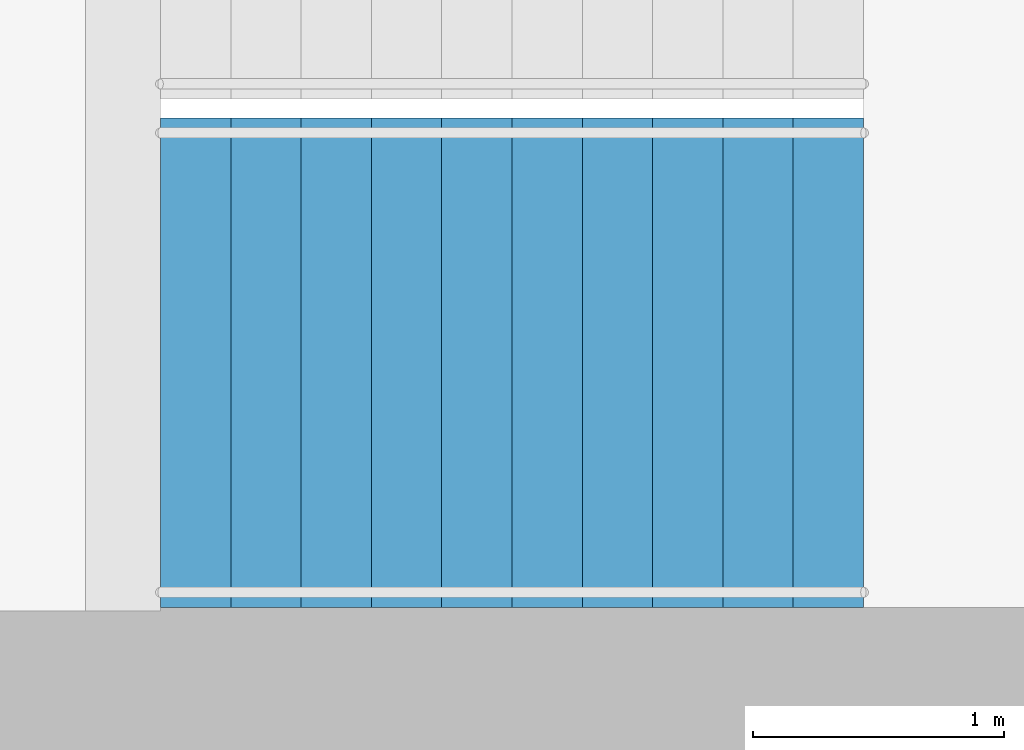
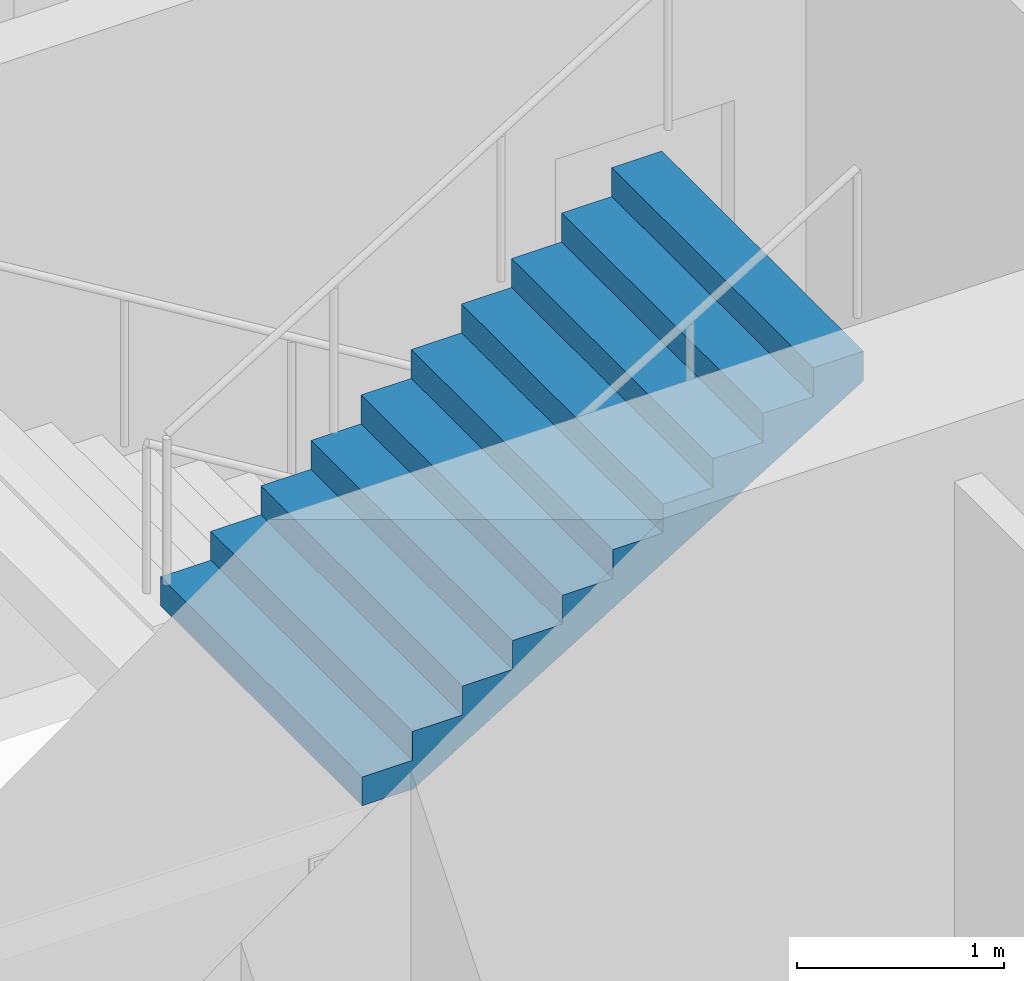
# One storey, part 18 of 20: 1 stair flight, 1 element without a shape of its own.
"""IFC4 building model written with IfcOpenShell, lengths in metres."""

from ifc_helpers import new_model, si_unit, direction, frame, origin, place, context, subcontext, project, spatial, triangles, material, type_object, element, aggregate, save


model = new_model("IFC4")

# Units and contexts
model_context = context("Model", 3, precision=1e-05, world=origin(), true_north=direction((0.0, 1.0)))
body_context = subcontext(model_context, "Body", "Model", "MODEL_VIEW")
ifc_project = project(units=[si_unit("LENGTHUNIT", "METRE"), si_unit("AREAUNIT", "SQUARE_METRE"), si_unit("VOLUMEUNIT", "CUBIC_METRE"), si_unit("PLANEANGLEUNIT", "RADIAN"), si_unit("MASSUNIT", "GRAM", prefix="KILO")], contexts=[model_context])

# Site, building, storey
site_placement = place(None, origin())
site = spatial("IfcSite", under=ifc_project, at=site_placement, CompositionType="ELEMENT")
building_placement = place(site_placement, origin())
building = spatial("IfcBuilding", under=site, at=building_placement, Name="Orbita Commons", CompositionType="ELEMENT")
storey_placement = place(building_placement, frame((0.0, 0.0, 129.39990234375)))
storey = spatial("IfcBuildingStorey", under=building, at=storey_placement, Name="L32", CompositionType="ELEMENT", Elevation=129.39990234375)

# Stair, stair flight
ifc_material_1 = material(Name="Precast concrete C40/50", Category="concrete")
stair_type = type_object("IfcStairType", Name="Exit stair S2 2 flights 11 risers 170", PredefinedType="HALF_TURN_STAIR", material=ifc_material_1)
stair_placement = place(storey_placement, origin())
stair = element("IfcStair", 1, at=stair_placement, inside=storey, type_object=stair_type, Name="Exit stair S2 L32", PredefinedType="HALF_TURN_STAIR")
ifc_material_2 = material(Name="Precast concrete C40/50", Category="concrete")
stair_flight_type = type_object("IfcStairFlightType", Name="Stair flight 11 risers 170 x 280", PredefinedType="STRAIGHT", material=ifc_material_2)
stair_flight_placement = place(storey_placement, frame((60.75, 27.25, 1.875), z_axis=(0.0, 0.0, 1.0), x_axis=(1.0, 0.0, 0.0)))
stair_flight = element("IfcStairFlight", 2, at=stair_flight_placement, type_object=stair_flight_type, Name="S2 flight 2", NumberOfRisers=11, NumberOfTreads=10, PredefinedType="STRAIGHT", RiserHeight=0.170454545, TreadLength=0.28, context=body_context, shape_type="Tessellation", body=[
    triangles([(0.0, 0.974976, 0.0), (0.0, 0.974976, 0.021307), (0.0, 0.81248, 0.021307), (0.0, 0.81248, 0.0), (0.0, 0.649984, 0.021307), (0.0, 0.649984, 0.0), (0.0, 0.487488, 0.021307), (0.0, 0.487488, 0.0), (0.0, 0.324992, 0.021307), (0.0, 0.324992, 0.0), (0.0, 0.162496, 0.021307), (0.0, 0.162496, 0.0), (0.0, 0.0, 0.021307), (0.0, 0.0, 0.0), (0.0, -0.162496, 0.021307), (0.0, -0.162496, 0.0), (0.0, -0.324992, 0.021307), (0.0, -0.324992, 0.0), (0.0, -0.487488, 0.021307), (0.0, -0.487488, 0.0), (0.0, -0.649984, 0.021307), (0.0, -0.649984, 0.0), (0.0, -0.81248, 0.021307), (0.0, -0.81248, 0.0), (0.0, -0.974976, 0.021307), (0.0, -0.974976, 0.0), (0.0, 0.974976, 0.042614), (0.0, 0.81248, 0.042614), (0.0, 0.649984, 0.042614), (0.0, 0.487488, 0.042614), (0.0, 0.324992, 0.042614), (0.0, 0.162496, 0.042614), (0.0, 0.0, 0.042614), (0.0, -0.162496, 0.042614), (0.0, -0.324992, 0.042614), (0.0, -0.487488, 0.042614), (0.0, -0.649984, 0.042614), (0.0, -0.81248, 0.042614), (0.0, -0.974976, 0.042614), (0.0, 0.974976, 0.06392), (0.0, 0.81248, 0.06392), (0.0, 0.649984, 0.06392), (0.0, 0.487488, 0.06392), (0.0, 0.324992, 0.06392), (0.0, 0.162496, 0.06392), (0.0, 0.0, 0.06392), (0.0, -0.162496, 0.06392), (0.0, -0.324992, 0.06392), (0.0, -0.487488, 0.06392), (0.0, -0.649984, 0.06392), (0.0, -0.81248, 0.06392), (0.0, -0.974976, 0.06392), (0.0, 0.974976, 0.085227), (0.0, 0.81248, 0.085227), (0.0, 0.649984, 0.085227), (0.0, 0.487488, 0.085227), (0.0, 0.324992, 0.085227), (0.0, 0.162496, 0.085227), (0.0, 0.0, 0.085227), (0.0, -0.162496, 0.085227), (0.0, -0.324992, 0.085227), (0.0, -0.487488, 0.085227), (0.0, -0.649984, 0.085227), (0.0, -0.81248, 0.085227), (0.0, -0.974976, 0.085227), (0.0, 0.974976, 0.106534), (0.0, 0.81248, 0.106534), (0.0, 0.649984, 0.106534), (0.0, 0.487488, 0.106534), (0.0, 0.324992, 0.106534), (0.0, 0.162496, 0.106534), (0.0, 0.0, 0.106534), (0.0, -0.162496, 0.106534), (0.0, -0.324992, 0.106534), (0.0, -0.487488, 0.106534), (0.0, -0.649984, 0.106534), (0.0, -0.81248, 0.106534), (0.0, -0.974976, 0.106534), (0.0, 0.974976, 0.127841), (0.0, 0.81248, 0.127841), (0.0, 0.649984, 0.127841), (0.0, 0.487488, 0.127841), (0.0, 0.324992, 0.127841), (0.0, 0.162496, 0.127841), (0.0, 0.0, 0.127841), (0.0, -0.162496, 0.127841), (0.0, -0.324992, 0.127841), (0.0, -0.487488, 0.127841), (0.0, -0.649984, 0.127841), (0.0, -0.81248, 0.127841), (0.0, -0.974976, 0.127841), (0.0, 0.974976, 0.149148), (0.0, 0.81248, 0.149148), (0.0, 0.649984, 0.149148), (0.0, 0.487488, 0.149148), (0.0, 0.324992, 0.149148), (0.0, 0.162496, 0.149148), (0.0, 0.0, 0.149148), (0.0, -0.162496, 0.149148), (0.0, -0.324992, 0.149148), (0.0, -0.487488, 0.149148), (0.0, -0.649984, 0.149148), (0.0, -0.81248, 0.149148), (0.0, -0.974976, 0.149148), (0.0, 0.974976, 0.170455), (0.0, 0.81248, 0.170455), (0.0, 0.649984, 0.170455), (0.0, 0.487488, 0.170455), (0.0, 0.324992, 0.170455), (0.0, 0.162496, 0.170455), (0.0, 0.0, 0.170455), (0.0, -0.162496, 0.170455), (0.0, -0.324992, 0.170455), (0.0, -0.487488, 0.170455), (0.0, -0.649984, 0.170455), (0.0, -0.81248, 0.170455), (0.0, -0.974976, 0.170455), (0.28, 0.974976, 0.170455), (0.28, 0.81248, 0.170455), (0.28, 0.649984, 0.170455), (0.28, 0.487488, 0.170455), (0.28, 0.324992, 0.170455), (0.28, 0.162496, 0.170455), (0.28, 0.0, 0.170455), (0.28, -0.162496, 0.170455), (0.28, -0.324992, 0.170455), (0.28, -0.487488, 0.170455), (0.28, -0.649984, 0.170455), (0.28, -0.81248, 0.170455), (0.28, -0.974976, 0.170455), (0.28, 0.974976, 0.340909), (0.28, 0.81248, 0.340909), (0.28, 0.649984, 0.340909), (0.28, 0.487488, 0.340909), (0.28, 0.324992, 0.340909), (0.28, 0.162496, 0.340909), (0.28, 0.0, 0.340909), (0.28, -0.162496, 0.340909), (0.28, -0.324992, 0.340909), (0.28, -0.487488, 0.340909), (0.28, -0.649984, 0.340909), (0.28, -0.81248, 0.340909), (0.28, -0.974976, 0.340909), (0.56, 0.974976, 0.340909), (0.56, 0.81248, 0.340909), (0.56, 0.649984, 0.340909), (0.56, 0.487488, 0.340909), (0.56, 0.324992, 0.340909), (0.56, 0.162496, 0.340909), (0.56, 0.0, 0.340909), (0.56, -0.162496, 0.340909), (0.56, -0.324992, 0.340909), (0.56, -0.487488, 0.340909), (0.56, -0.649984, 0.340909), (0.56, -0.81248, 0.340909), (0.56, -0.974976, 0.340909), (0.56, 0.974976, 0.511364), (0.56, 0.81248, 0.511364), (0.56, 0.649984, 0.511364), (0.56, 0.487488, 0.511364), (0.56, 0.324992, 0.511364), (0.56, 0.162496, 0.511364), (0.56, 0.0, 0.511364), (0.56, -0.162496, 0.511364), (0.56, -0.324992, 0.511364), (0.56, -0.487488, 0.511364), (0.56, -0.649984, 0.511364), (0.56, -0.81248, 0.511364), (0.56, -0.974976, 0.511364), (0.84, 0.974976, 0.511364), (0.84, 0.81248, 0.511364), (0.84, 0.649984, 0.511364), (0.84, 0.487488, 0.511364), (0.84, 0.324992, 0.511364), (0.84, 0.162496, 0.511364), (0.84, 0.0, 0.511364), (0.84, -0.162496, 0.511364), (0.84, -0.324992, 0.511364), (0.84, -0.487488, 0.511364), (0.84, -0.649984, 0.511364), (0.84, -0.81248, 0.511364), (0.84, -0.974976, 0.511364), (0.84, 0.974976, 0.681818), (0.84, 0.81248, 0.681818), (0.84, 0.649984, 0.681818), (0.84, 0.487488, 0.681818), (0.84, 0.324992, 0.681818), (0.84, 0.162496, 0.681818), (0.84, 0.0, 0.681818), (0.84, -0.162496, 0.681818), (0.84, -0.324992, 0.681818), (0.84, -0.487488, 0.681818), (0.84, -0.649984, 0.681818), (0.84, -0.81248, 0.681818), (0.84, -0.974976, 0.681818), (1.12, 0.974976, 0.681818), (1.12, 0.81248, 0.681818), (1.12, 0.649984, 0.681818), (1.12, 0.487488, 0.681818), (1.12, 0.324992, 0.681818), (1.12, 0.162496, 0.681818), (1.12, 0.0, 0.681818), (1.12, -0.162496, 0.681818), (1.12, -0.324992, 0.681818), (1.12, -0.487488, 0.681818), (1.12, -0.649984, 0.681818), (1.12, -0.81248, 0.681818), (1.12, -0.974976, 0.681818), (1.12, 0.974976, 0.852273), (1.12, 0.81248, 0.852273), (1.12, 0.649984, 0.852273), (1.12, 0.487488, 0.852273), (1.12, 0.324992, 0.852273), (1.12, 0.162496, 0.852273), (1.12, 0.0, 0.852273), (1.12, -0.162496, 0.852273), (1.12, -0.324992, 0.852273), (1.12, -0.487488, 0.852273), (1.12, -0.649984, 0.852273), (1.12, -0.81248, 0.852273), (1.12, -0.974976, 0.852273), (1.4, 0.974976, 0.852273), (1.4, 0.81248, 0.852273), (1.4, 0.649984, 0.852273), (1.4, 0.487488, 0.852273), (1.4, 0.324992, 0.852273), (1.4, 0.162496, 0.852273), (1.4, 0.0, 0.852273), (1.4, -0.162496, 0.852273), (1.4, -0.324992, 0.852273), (1.4, -0.487488, 0.852273), (1.4, -0.649984, 0.852273), (1.4, -0.81248, 0.852273), (1.4, -0.974976, 0.852273), (1.4, 0.974976, 1.022727), (1.4, 0.81248, 1.022727), (1.4, 0.649984, 1.022727), (1.4, 0.487488, 1.022727), (1.4, 0.324992, 1.022727), (1.4, 0.162496, 1.022727), (1.4, 0.0, 1.022727), (1.4, -0.162496, 1.022727), (1.4, -0.324992, 1.022727), (1.4, -0.487488, 1.022727), (1.4, -0.649984, 1.022727), (1.4, -0.81248, 1.022727), (1.4, -0.974976, 1.022727), (1.68, 0.974976, 1.022727), (1.68, 0.81248, 1.022727), (1.68, 0.649984, 1.022727), (1.68, 0.487488, 1.022727), (1.68, 0.324992, 1.022727), (1.68, 0.162496, 1.022727), (1.68, 0.0, 1.022727), (1.68, -0.162496, 1.022727), (1.68, -0.324992, 1.022727), (1.68, -0.487488, 1.022727), (1.68, -0.649984, 1.022727), (1.68, -0.81248, 1.022727), (1.68, -0.974976, 1.022727), (1.68, 0.974976, 1.193182), (1.68, 0.81248, 1.193182), (1.68, 0.649984, 1.193182), (1.68, 0.487488, 1.193182), (1.68, 0.324992, 1.193182), (1.68, 0.162496, 1.193182), (1.68, 0.0, 1.193182), (1.68, -0.162496, 1.193182), (1.68, -0.324992, 1.193182), (1.68, -0.487488, 1.193182), (1.68, -0.649984, 1.193182), (1.68, -0.81248, 1.193182), (1.68, -0.974976, 1.193182), (1.96, 0.974976, 1.193182), (1.96, 0.81248, 1.193182), (1.96, 0.649984, 1.193182), (1.96, 0.487488, 1.193182), (1.96, 0.324992, 1.193182), (1.96, 0.162496, 1.193182), (1.96, 0.0, 1.193182), (1.96, -0.162496, 1.193182), (1.96, -0.324992, 1.193182), (1.96, -0.487488, 1.193182), (1.96, -0.649984, 1.193182), (1.96, -0.81248, 1.193182), (1.96, -0.974976, 1.193182), (1.96, 0.974976, 1.363636), (1.96, 0.81248, 1.363636), (1.96, 0.649984, 1.363636), (1.96, 0.487488, 1.363636), (1.96, 0.324992, 1.363636), (1.96, 0.162496, 1.363636), (1.96, 0.0, 1.363636), (1.96, -0.162496, 1.363636), (1.96, -0.324992, 1.363636), (1.96, -0.487488, 1.363636), (1.96, -0.649984, 1.363636), (1.96, -0.81248, 1.363636), (1.96, -0.974976, 1.363636), (2.24, 0.974976, 1.363636), (2.24, 0.81248, 1.363636), (2.24, 0.649984, 1.363636), (2.24, 0.487488, 1.363636), (2.24, 0.324992, 1.363636), (2.24, 0.162496, 1.363636), (2.24, 0.0, 1.363636), (2.24, -0.162496, 1.363636), (2.24, -0.324992, 1.363636), (2.24, -0.487488, 1.363636), (2.24, -0.649984, 1.363636), (2.24, -0.81248, 1.363636), (2.24, -0.974976, 1.363636), (2.24, 0.974976, 1.534091), (2.24, 0.81248, 1.534091), (2.24, 0.649984, 1.534091), (2.24, 0.487488, 1.534091), (2.24, 0.324992, 1.534091), (2.24, 0.162496, 1.534091), (2.24, 0.0, 1.534091), (2.24, -0.162496, 1.534091), (2.24, -0.324992, 1.534091), (2.24, -0.487488, 1.534091), (2.24, -0.649984, 1.534091), (2.24, -0.81248, 1.534091), (2.24, -0.974976, 1.534091), (2.52, 0.974976, 1.534091), (2.52, 0.81248, 1.534091), (2.52, 0.649984, 1.534091), (2.52, 0.487488, 1.534091), (2.52, 0.324992, 1.534091), (2.52, 0.162496, 1.534091), (2.52, 0.0, 1.534091), (2.52, -0.162496, 1.534091), (2.52, -0.324992, 1.534091), (2.52, -0.487488, 1.534091), (2.52, -0.649984, 1.534091), (2.52, -0.81248, 1.534091), (2.52, -0.974976, 1.534091), (2.52, 0.974976, 1.704545), (2.52, 0.81248, 1.704545), (2.52, 0.649984, 1.704545), (2.52, 0.487488, 1.704545), (2.52, 0.324992, 1.704545), (2.52, 0.162496, 1.704545), (2.52, 0.0, 1.704545), (2.52, -0.162496, 1.704545), (2.52, -0.324992, 1.704545), (2.52, -0.487488, 1.704545), (2.52, -0.649984, 1.704545), (2.52, -0.81248, 1.704545), (2.52, -0.974976, 1.704545), (2.8, 0.974976, 1.704545), (2.8, 0.81248, 1.704545), (2.8, 0.649984, 1.704545), (2.8, 0.487488, 1.704545), (2.8, 0.324992, 1.704545), (2.8, 0.162496, 1.704545), (2.8, 0.0, 1.704545), (2.8, -0.162496, 1.704545), (2.8, -0.324992, 1.704545), (2.8, -0.487488, 1.704545), (2.8, -0.649984, 1.704545), (2.8, -0.81248, 1.704545), (2.8, -0.974976, 1.704545), (2.8, 0.974976, 1.682609), (2.8, 0.81248, 1.682609), (2.8, 0.649984, 1.682609), (2.8, 0.487488, 1.682609), (2.8, 0.324992, 1.682609), (2.8, 0.162496, 1.682609), (2.8, 0.0, 1.682609), (2.8, -0.162496, 1.682609), (2.8, -0.324992, 1.682609), (2.8, -0.487488, 1.682609), (2.8, -0.649984, 1.682609), (2.8, -0.81248, 1.682609), (2.8, -0.974976, 1.682609), (2.8, 0.974976, 1.660672), (2.8, 0.81248, 1.660672), (2.8, 0.649984, 1.660672), (2.8, 0.487488, 1.660672), (2.8, 0.324992, 1.660672), (2.8, 0.162496, 1.660672), (2.8, 0.0, 1.660672), (2.8, -0.162496, 1.660672), (2.8, -0.324992, 1.660672), (2.8, -0.487488, 1.660672), (2.8, -0.649984, 1.660672), (2.8, -0.81248, 1.660672), (2.8, -0.974976, 1.660672), (2.8, 0.974976, 1.638735), (2.8, 0.81248, 1.638735), (2.8, 0.649984, 1.638735), (2.8, 0.487488, 1.638735), (2.8, 0.324992, 1.638735), (2.8, 0.162496, 1.638735), (2.8, 0.0, 1.638735), (2.8, -0.162496, 1.638735), (2.8, -0.324992, 1.638735), (2.8, -0.487488, 1.638735), (2.8, -0.649984, 1.638735), (2.8, -0.81248, 1.638735), (2.8, -0.974976, 1.638735), (2.8, 0.974976, 1.616798), (2.8, 0.81248, 1.616798), (2.8, 0.649984, 1.616798), (2.8, 0.487488, 1.616798), (2.8, 0.324992, 1.616798), (2.8, 0.162496, 1.616798), (2.8, 0.0, 1.616798), (2.8, -0.162496, 1.616798), (2.8, -0.324992, 1.616798), (2.8, -0.487488, 1.616798), (2.8, -0.649984, 1.616798), (2.8, -0.81248, 1.616798), (2.8, -0.974976, 1.616798), (2.8, 0.974976, 1.594861), (2.8, 0.81248, 1.594861), (2.8, 0.649984, 1.594861), (2.8, 0.487488, 1.594861), (2.8, 0.324992, 1.594861), (2.8, 0.162496, 1.594861), (2.8, 0.0, 1.594861), (2.8, -0.162496, 1.594861), (2.8, -0.324992, 1.594861), (2.8, -0.487488, 1.594861), (2.8, -0.649984, 1.594861), (2.8, -0.81248, 1.594861), (2.8, -0.974976, 1.594861), (2.8, 0.974976, 1.572925), (2.8, 0.81248, 1.572925), (2.8, 0.649984, 1.572925), (2.8, 0.487488, 1.572925), (2.8, 0.324992, 1.572925), (2.8, 0.162496, 1.572925), (2.8, 0.0, 1.572925), (2.8, -0.162496, 1.572925), (2.8, -0.324992, 1.572925), (2.8, -0.487488, 1.572925), (2.8, -0.649984, 1.572925), (2.8, -0.81248, 1.572925), (2.8, -0.974976, 1.572925), (2.8, 0.974976, 1.550988), (2.8, 0.81248, 1.550988), (2.8, 0.649984, 1.550988), (2.8, 0.487488, 1.550988), (2.8, 0.324992, 1.550988), (2.8, 0.162496, 1.550988), (2.8, 0.0, 1.550988), (2.8, -0.162496, 1.550988), (2.8, -0.324992, 1.550988), (2.8, -0.487488, 1.550988), (2.8, -0.649984, 1.550988), (2.8, -0.81248, 1.550988), (2.8, -0.974976, 1.550988), (2.8, 0.974976, 1.529051), (2.8, 0.81248, 1.529051), (2.8, 0.649984, 1.529051), (2.8, 0.487488, 1.529051), (2.8, 0.324992, 1.529051), (2.8, 0.162496, 1.529051), (2.8, 0.0, 1.529051), (2.8, -0.162496, 1.529051), (2.8, -0.324992, 1.529051), (2.8, -0.487488, 1.529051), (2.8, -0.649984, 1.529051), (2.8, -0.81248, 1.529051), (2.8, -0.974976, 1.529051), (0.288279, 0.974976, 0.0), (0.288279, 0.81248, 0.0), (0.288279, 0.649984, 0.0), (0.288279, 0.487488, 0.0), (0.288279, 0.324992, 0.0), (0.288279, 0.162496, 0.0), (0.288279, 0.0, 0.0), (0.288279, -0.162496, 0.0), (0.288279, -0.324992, 0.0), (0.288279, -0.487488, 0.0), (0.288279, -0.649984, 0.0), (0.288279, -0.81248, 0.0), (0.288279, -0.974976, 0.0)], [[3, 2, 1], [4, 3, 1], [5, 3, 4], [6, 5, 4], [7, 5, 6], [8, 7, 6], [9, 7, 8], [10, 9, 8], [11, 9, 10], [12, 11, 10], [13, 11, 12], [14, 13, 12], [15, 13, 14], [16, 15, 14], [17, 15, 16], [18, 17, 16], [19, 17, 18], [20, 19, 18], [21, 19, 20], [22, 21, 20], [23, 21, 22], [24, 23, 22], [25, 23, 24], [26, 25, 24], [28, 27, 2], [3, 28, 2], [29, 28, 3], [5, 29, 3], [30, 29, 5], [7, 30, 5], [31, 30, 7], [9, 31, 7], [32, 31, 9], [11, 32, 9], [33, 32, 11], [13, 33, 11], [34, 33, 13], [15, 34, 13], [35, 34, 15], [17, 35, 15], [36, 35, 17], [19, 36, 17], [37, 36, 19], [21, 37, 19], [38, 37, 21], [23, 38, 21], [39, 38, 23], [25, 39, 23], [41, 40, 27], [28, 41, 27], [42, 41, 28], [29, 42, 28], [43, 42, 29], [30, 43, 29], [44, 43, 30], [31, 44, 30], [45, 44, 31], [32, 45, 31], [46, 45, 32], [33, 46, 32], [47, 46, 33], [34, 47, 33], [48, 47, 34], [35, 48, 34], [49, 48, 35], [36, 49, 35], [50, 49, 36], [37, 50, 36], [51, 50, 37], [38, 51, 37], [52, 51, 38], [39, 52, 38], [54, 53, 40], [41, 54, 40], [55, 54, 41], [42, 55, 41], [56, 55, 42], [43, 56, 42], [57, 56, 43], [44, 57, 43], [58, 57, 44], [45, 58, 44], [59, 58, 45], [46, 59, 45], [60, 59, 46], [47, 60, 46], [61, 60, 47], [48, 61, 47], [62, 61, 48], [49, 62, 48], [63, 62, 49], [50, 63, 49], [64, 63, 50], [51, 64, 50], [65, 64, 51], [52, 65, 51], [67, 66, 53], [54, 67, 53], [68, 67, 54], [55, 68, 54], [69, 68, 55], [56, 69, 55], [70, 69, 56], [57, 70, 56], [71, 70, 57], [58, 71, 57], [72, 71, 58], [59, 72, 58], [73, 72, 59], [60, 73, 59], [74, 73, 60], [61, 74, 60], [75, 74, 61], [62, 75, 61], [76, 75, 62], [63, 76, 62], [77, 76, 63], [64, 77, 63], [78, 77, 64], [65, 78, 64], [80, 79, 66], [67, 80, 66], [81, 80, 67], [68, 81, 67], [82, 81, 68], [69, 82, 68], [83, 82, 69], [70, 83, 69], [84, 83, 70], [71, 84, 70], [85, 84, 71], [72, 85, 71], [86, 85, 72], [73, 86, 72], [87, 86, 73], [74, 87, 73], [88, 87, 74], [75, 88, 74], [89, 88, 75], [76, 89, 75], [90, 89, 76], [77, 90, 76], [91, 90, 77], [78, 91, 77], [93, 92, 79], [80, 93, 79], [94, 93, 80], [81, 94, 80], [95, 94, 81], [82, 95, 81], [96, 95, 82], [83, 96, 82], [97, 96, 83], [84, 97, 83], [98, 97, 84], [85, 98, 84], [99, 98, 85], [86, 99, 85], [100, 99, 86], [87, 100, 86], [101, 100, 87], [88, 101, 87], [102, 101, 88], [89, 102, 88], [103, 102, 89], [90, 103, 89], [104, 103, 90], [91, 104, 90], [106, 105, 92], [93, 106, 92], [107, 106, 93], [94, 107, 93], [108, 107, 94], [95, 108, 94], [109, 108, 95], [96, 109, 95], [110, 109, 96], [97, 110, 96], [111, 110, 97], [98, 111, 97], [112, 111, 98], [99, 112, 98], [113, 112, 99], [100, 113, 99], [114, 113, 100], [101, 114, 100], [115, 114, 101], [102, 115, 101], [116, 115, 102], [103, 116, 102], [117, 116, 103], [104, 117, 103], [119, 118, 105], [106, 119, 105], [120, 119, 106], [107, 120, 106], [121, 120, 107], [108, 121, 107], [122, 121, 108], [109, 122, 108], [123, 122, 109], [110, 123, 109], [124, 123, 110], [111, 124, 110], [125, 124, 111], [112, 125, 111], [126, 125, 112], [113, 126, 112], [127, 126, 113], [114, 127, 113], [128, 127, 114], [115, 128, 114], [129, 128, 115], [116, 129, 115], [130, 129, 116], [117, 130, 116], [132, 131, 118], [119, 132, 118], [133, 132, 119], [120, 133, 119], [134, 133, 120], [121, 134, 120], [135, 134, 121], [122, 135, 121], [136, 135, 122], [123, 136, 122], [137, 136, 123], [124, 137, 123], [138, 137, 124], [125, 138, 124], [139, 138, 125], [126, 139, 125], [140, 139, 126], [127, 140, 126], [141, 140, 127], [128, 141, 127], [142, 141, 128], [129, 142, 128], [143, 142, 129], [130, 143, 129], [145, 144, 131], [132, 145, 131], [146, 145, 132], [133, 146, 132], [147, 146, 133], [134, 147, 133], [148, 147, 134], [135, 148, 134], [149, 148, 135], [136, 149, 135], [150, 149, 136], [137, 150, 136], [151, 150, 137], [138, 151, 137], [152, 151, 138], [139, 152, 138], [153, 152, 139], [140, 153, 139], [154, 153, 140], [141, 154, 140], [155, 154, 141], [142, 155, 141], [156, 155, 142], [143, 156, 142], [158, 157, 144], [145, 158, 144], [159, 158, 145], [146, 159, 145], [160, 159, 146], [147, 160, 146], [161, 160, 147], [148, 161, 147], [162, 161, 148], [149, 162, 148], [163, 162, 149], [150, 163, 149], [164, 163, 150], [151, 164, 150], [165, 164, 151], [152, 165, 151], [166, 165, 152], [153, 166, 152], [167, 166, 153], [154, 167, 153], [168, 167, 154], [155, 168, 154], [169, 168, 155], [156, 169, 155], [171, 170, 157], [158, 171, 157], [172, 171, 158], [159, 172, 158], [173, 172, 159], [160, 173, 159], [174, 173, 160], [161, 174, 160], [175, 174, 161], [162, 175, 161], [176, 175, 162], [163, 176, 162], [177, 176, 163], [164, 177, 163], [178, 177, 164], [165, 178, 164], [179, 178, 165], [166, 179, 165], [180, 179, 166], [167, 180, 166], [181, 180, 167], [168, 181, 167], [182, 181, 168], [169, 182, 168], [184, 183, 170], [171, 184, 170], [185, 184, 171], [172, 185, 171], [186, 185, 172], [173, 186, 172], [187, 186, 173], [174, 187, 173], [188, 187, 174], [175, 188, 174], [189, 188, 175], [176, 189, 175], [190, 189, 176], [177, 190, 176], [191, 190, 177], [178, 191, 177], [192, 191, 178], [179, 192, 178], [193, 192, 179], [180, 193, 179], [194, 193, 180], [181, 194, 180], [195, 194, 181], [182, 195, 181], [197, 196, 183], [184, 197, 183], [198, 197, 184], [185, 198, 184], [199, 198, 185], [186, 199, 185], [200, 199, 186], [187, 200, 186], [201, 200, 187], [188, 201, 187], [202, 201, 188], [189, 202, 188], [203, 202, 189], [190, 203, 189], [204, 203, 190], [191, 204, 190], [205, 204, 191], [192, 205, 191], [206, 205, 192], [193, 206, 192], [207, 206, 193], [194, 207, 193], [208, 207, 194], [195, 208, 194], [210, 209, 196], [197, 210, 196], [211, 210, 197], [198, 211, 197], [212, 211, 198], [199, 212, 198], [213, 212, 199], [200, 213, 199], [214, 213, 200], [201, 214, 200], [215, 214, 201], [202, 215, 201], [216, 215, 202], [203, 216, 202], [217, 216, 203], [204, 217, 203], [218, 217, 204], [205, 218, 204], [219, 218, 205], [206, 219, 205], [220, 219, 206], [207, 220, 206], [221, 220, 207], [208, 221, 207], [223, 222, 209], [210, 223, 209], [224, 223, 210], [211, 224, 210], [225, 224, 211], [212, 225, 211], [226, 225, 212], [213, 226, 212], [227, 226, 213], [214, 227, 213], [228, 227, 214], [215, 228, 214], [229, 228, 215], [216, 229, 215], [230, 229, 216], [217, 230, 216], [231, 230, 217], [218, 231, 217], [232, 231, 218], [219, 232, 218], [233, 232, 219], [220, 233, 219], [234, 233, 220], [221, 234, 220], [236, 235, 222], [223, 236, 222], [237, 236, 223], [224, 237, 223], [238, 237, 224], [225, 238, 224], [239, 238, 225], [226, 239, 225], [240, 239, 226], [227, 240, 226], [241, 240, 227], [228, 241, 227], [242, 241, 228], [229, 242, 228], [243, 242, 229], [230, 243, 229], [244, 243, 230], [231, 244, 230], [245, 244, 231], [232, 245, 231], [246, 245, 232], [233, 246, 232], [247, 246, 233], [234, 247, 233], [249, 248, 235], [236, 249, 235], [250, 249, 236], [237, 250, 236], [251, 250, 237], [238, 251, 237], [252, 251, 238], [239, 252, 238], [253, 252, 239], [240, 253, 239], [254, 253, 240], [241, 254, 240], [255, 254, 241], [242, 255, 241], [256, 255, 242], [243, 256, 242], [257, 256, 243], [244, 257, 243], [258, 257, 244], [245, 258, 244], [259, 258, 245], [246, 259, 245], [260, 259, 246], [247, 260, 246], [262, 261, 248], [249, 262, 248], [263, 262, 249], [250, 263, 249], [264, 263, 250], [251, 264, 250], [265, 264, 251], [252, 265, 251], [266, 265, 252], [253, 266, 252], [267, 266, 253], [254, 267, 253], [268, 267, 254], [255, 268, 254], [269, 268, 255], [256, 269, 255], [270, 269, 256], [257, 270, 256], [271, 270, 257], [258, 271, 257], [272, 271, 258], [259, 272, 258], [273, 272, 259], [260, 273, 259], [275, 274, 261], [262, 275, 261], [276, 275, 262], [263, 276, 262], [277, 276, 263], [264, 277, 263], [278, 277, 264], [265, 278, 264], [279, 278, 265], [266, 279, 265], [280, 279, 266], [267, 280, 266], [281, 280, 267], [268, 281, 267], [282, 281, 268], [269, 282, 268], [283, 282, 269], [270, 283, 269], [284, 283, 270], [271, 284, 270], [285, 284, 271], [272, 285, 271], [286, 285, 272], [273, 286, 272], [288, 287, 274], [275, 288, 274], [289, 288, 275], [276, 289, 275], [290, 289, 276], [277, 290, 276], [291, 290, 277], [278, 291, 277], [292, 291, 278], [279, 292, 278], [293, 292, 279], [280, 293, 279], [294, 293, 280], [281, 294, 280], [295, 294, 281], [282, 295, 281], [296, 295, 282], [283, 296, 282], [297, 296, 283], [284, 297, 283], [298, 297, 284], [285, 298, 284], [299, 298, 285], [286, 299, 285], [301, 300, 287], [288, 301, 287], [302, 301, 288], [289, 302, 288], [303, 302, 289], [290, 303, 289], [304, 303, 290], [291, 304, 290], [305, 304, 291], [292, 305, 291], [306, 305, 292], [293, 306, 292], [307, 306, 293], [294, 307, 293], [308, 307, 294], [295, 308, 294], [309, 308, 295], [296, 309, 295], [310, 309, 296], [297, 310, 296], [311, 310, 297], [298, 311, 297], [312, 311, 298], [299, 312, 298], [314, 313, 300], [301, 314, 300], [315, 314, 301], [302, 315, 301], [316, 315, 302], [303, 316, 302], [317, 316, 303], [304, 317, 303], [318, 317, 304], [305, 318, 304], [319, 318, 305], [306, 319, 305], [320, 319, 306], [307, 320, 306], [321, 320, 307], [308, 321, 307], [322, 321, 308], [309, 322, 308], [323, 322, 309], [310, 323, 309], [324, 323, 310], [311, 324, 310], [325, 324, 311], [312, 325, 311], [327, 326, 313], [314, 327, 313], [328, 327, 314], [315, 328, 314], [329, 328, 315], [316, 329, 315], [330, 329, 316], [317, 330, 316], [331, 330, 317], [318, 331, 317], [332, 331, 318], [319, 332, 318], [333, 332, 319], [320, 333, 319], [334, 333, 320], [321, 334, 320], [335, 334, 321], [322, 335, 321], [336, 335, 322], [323, 336, 322], [337, 336, 323], [324, 337, 323], [338, 337, 324], [325, 338, 324], [340, 339, 326], [327, 340, 326], [341, 340, 327], [328, 341, 327], [342, 341, 328], [329, 342, 328], [343, 342, 329], [330, 343, 329], [344, 343, 330], [331, 344, 330], [345, 344, 331], [332, 345, 331], [346, 345, 332], [333, 346, 332], [347, 346, 333], [334, 347, 333], [348, 347, 334], [335, 348, 334], [349, 348, 335], [336, 349, 335], [350, 349, 336], [337, 350, 336], [351, 350, 337], [338, 351, 337], [353, 352, 339], [340, 353, 339], [354, 353, 340], [341, 354, 340], [355, 354, 341], [342, 355, 341], [356, 355, 342], [343, 356, 342], [357, 356, 343], [344, 357, 343], [358, 357, 344], [345, 358, 344], [359, 358, 345], [346, 359, 345], [360, 359, 346], [347, 360, 346], [361, 360, 347], [348, 361, 347], [362, 361, 348], [349, 362, 348], [363, 362, 349], [350, 363, 349], [364, 363, 350], [351, 364, 350], [366, 365, 352], [353, 366, 352], [367, 366, 353], [354, 367, 353], [368, 367, 354], [355, 368, 354], [369, 368, 355], [356, 369, 355], [370, 369, 356], [357, 370, 356], [371, 370, 357], [358, 371, 357], [372, 371, 358], [359, 372, 358], [373, 372, 359], [360, 373, 359], [374, 373, 360], [361, 374, 360], [375, 374, 361], [362, 375, 361], [376, 375, 362], [363, 376, 362], [377, 376, 363], [364, 377, 363], [379, 378, 365], [366, 379, 365], [380, 379, 366], [367, 380, 366], [381, 380, 367], [368, 381, 367], [382, 381, 368], [369, 382, 368], [383, 382, 369], [370, 383, 369], [384, 383, 370], [371, 384, 370], [385, 384, 371], [372, 385, 371], [386, 385, 372], [373, 386, 372], [387, 386, 373], [374, 387, 373], [388, 387, 374], [375, 388, 374], [389, 388, 375], [376, 389, 375], [390, 389, 376], [377, 390, 376], [392, 391, 378], [379, 392, 378], [393, 392, 379], [380, 393, 379], [394, 393, 380], [381, 394, 380], [395, 394, 381], [382, 395, 381], [396, 395, 382], [383, 396, 382], [397, 396, 383], [384, 397, 383], [398, 397, 384], [385, 398, 384], [399, 398, 385], [386, 399, 385], [400, 399, 386], [387, 400, 386], [401, 400, 387], [388, 401, 387], [402, 401, 388], [389, 402, 388], [403, 402, 389], [390, 403, 389], [405, 404, 391], [392, 405, 391], [406, 405, 392], [393, 406, 392], [407, 406, 393], [394, 407, 393], [408, 407, 394], [395, 408, 394], [409, 408, 395], [396, 409, 395], [410, 409, 396], [397, 410, 396], [411, 410, 397], [398, 411, 397], [412, 411, 398], [399, 412, 398], [413, 412, 399], [400, 413, 399], [414, 413, 400], [401, 414, 400], [415, 414, 401], [402, 415, 401], [416, 415, 402], [403, 416, 402], [418, 417, 404], [405, 418, 404], [419, 418, 405], [406, 419, 405], [420, 419, 406], [407, 420, 406], [421, 420, 407], [408, 421, 407], [422, 421, 408], [409, 422, 408], [423, 422, 409], [410, 423, 409], [424, 423, 410], [411, 424, 410], [425, 424, 411], [412, 425, 411], [426, 425, 412], [413, 426, 412], [427, 426, 413], [414, 427, 413], [428, 427, 414], [415, 428, 414], [429, 428, 415], [416, 429, 415], [431, 430, 417], [418, 431, 417], [432, 431, 418], [419, 432, 418], [433, 432, 419], [420, 433, 419], [434, 433, 420], [421, 434, 420], [435, 434, 421], [422, 435, 421], [436, 435, 422], [423, 436, 422], [437, 436, 423], [424, 437, 423], [438, 437, 424], [425, 438, 424], [439, 438, 425], [426, 439, 425], [440, 439, 426], [427, 440, 426], [441, 440, 427], [428, 441, 427], [442, 441, 428], [429, 442, 428], [444, 443, 430], [431, 444, 430], [445, 444, 431], [432, 445, 431], [446, 445, 432], [433, 446, 432], [447, 446, 433], [434, 447, 433], [448, 447, 434], [435, 448, 434], [449, 448, 435], [436, 449, 435], [450, 449, 436], [437, 450, 436], [451, 450, 437], [438, 451, 437], [452, 451, 438], [439, 452, 438], [453, 452, 439], [440, 453, 439], [454, 453, 440], [441, 454, 440], [455, 454, 441], [442, 455, 441], [457, 456, 443], [444, 457, 443], [458, 457, 444], [445, 458, 444], [459, 458, 445], [446, 459, 445], [460, 459, 446], [447, 460, 446], [461, 460, 447], [448, 461, 447], [462, 461, 448], [449, 462, 448], [463, 462, 449], [450, 463, 449], [464, 463, 450], [451, 464, 450], [465, 464, 451], [452, 465, 451], [466, 465, 452], [453, 466, 452], [467, 466, 453], [454, 467, 453], [468, 467, 454], [455, 468, 454], [470, 469, 456], [457, 470, 456], [471, 470, 457], [458, 471, 457], [472, 471, 458], [459, 472, 458], [473, 472, 459], [460, 473, 459], [474, 473, 460], [461, 474, 460], [475, 474, 461], [462, 475, 461], [476, 475, 462], [463, 476, 462], [477, 476, 463], [464, 477, 463], [478, 477, 464], [465, 478, 464], [479, 478, 465], [466, 479, 465], [480, 479, 466], [467, 480, 466], [481, 480, 467], [468, 481, 467], [4, 1, 469], [470, 4, 469], [6, 4, 470], [471, 6, 470], [8, 6, 471], [472, 8, 471], [10, 8, 472], [473, 10, 472], [12, 10, 473], [474, 12, 473], [14, 12, 474], [475, 14, 474], [16, 14, 475], [476, 16, 475], [18, 16, 476], [477, 18, 476], [20, 18, 477], [478, 20, 477], [22, 20, 478], [479, 22, 478], [24, 22, 479], [480, 24, 479], [26, 24, 480], [481, 26, 480], [456, 469, 1], [26, 481, 468], [443, 456, 1], [26, 468, 455], [430, 443, 1], [26, 455, 442], [417, 430, 1], [26, 442, 429], [404, 417, 1], [26, 429, 416], [391, 404, 1], [26, 416, 403], [378, 391, 1], [26, 403, 390], [365, 378, 1], [26, 390, 377], [339, 352, 365], [377, 364, 351], [326, 339, 365], [377, 351, 338], [300, 313, 326], [338, 325, 312], [300, 326, 365], [377, 338, 312], [274, 287, 300], [312, 299, 286], [274, 300, 365], [377, 312, 286], [248, 261, 274], [286, 273, 260], [248, 274, 365], [377, 286, 260], [222, 235, 248], [260, 247, 234], [222, 248, 365], [377, 260, 234], [196, 209, 222], [234, 221, 208], [196, 222, 365], [377, 234, 208], [170, 183, 196], [208, 195, 182], [170, 196, 365], [377, 208, 182], [144, 157, 170], [182, 169, 156], [144, 170, 365], [377, 182, 156], [118, 131, 144], [156, 143, 130], [118, 144, 365], [377, 156, 130], [118, 365, 1], [26, 377, 130], [92, 105, 118], [130, 117, 104], [79, 92, 118], [130, 104, 91], [66, 79, 118], [130, 91, 78], [53, 66, 118], [130, 78, 65], [40, 53, 118], [130, 65, 52], [27, 40, 118], [130, 52, 39], [2, 27, 118], [130, 39, 25], [1, 2, 118], [130, 25, 26]], closed=True),
])
aggregate(stair, [stair_flight])

save(model, "model.ifc")
